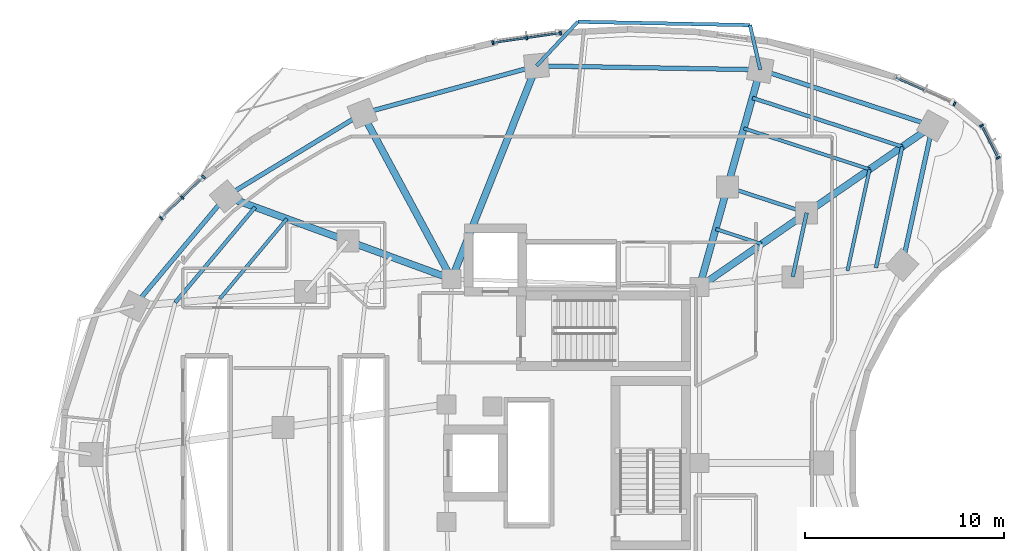
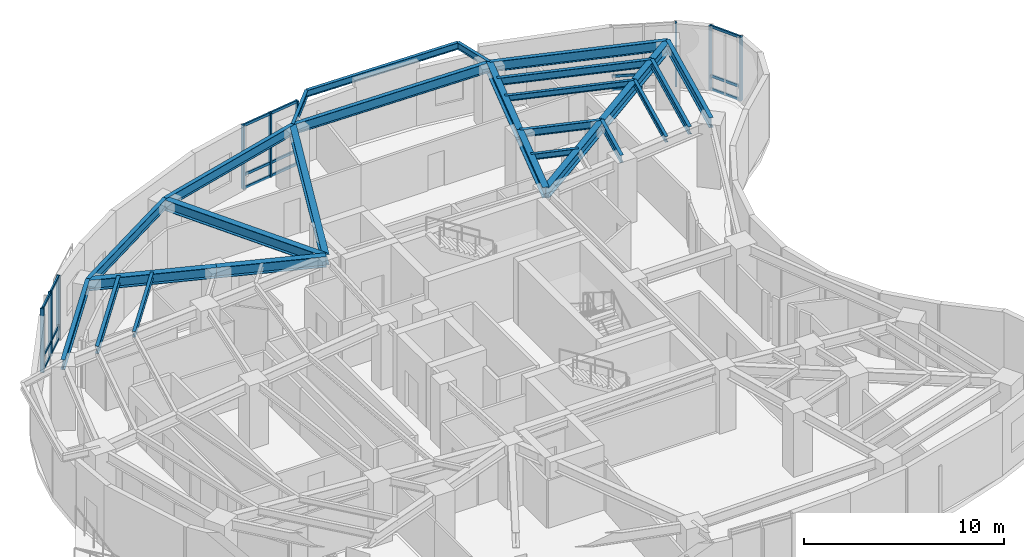
# One storey, part 4 of 13: 26 beams, 26 members, 4 elements without a shape of their own.
"""IFC4 building model written with IfcOpenShell, lengths in metres."""

from ifc_helpers import new_model, si_unit, direction, frame, origin, origin_2d, place, context, subcontext, project, spatial, rectangle, i_section, extrude, material, layer, layer_set, material_profile, profile_set, type_object, element, aggregate, save


model = new_model("IFC4")

# Units and contexts
model_context = context("Model", 3, precision=1e-05, world=origin(), true_north=direction((0.0, 1.0)))
body_context = subcontext(model_context, "Body", "Model", "MODEL_VIEW")
ifc_project = project(units=[si_unit("LENGTHUNIT", "METRE"), si_unit("AREAUNIT", "SQUARE_METRE"), si_unit("VOLUMEUNIT", "CUBIC_METRE"), si_unit("PLANEANGLEUNIT", "RADIAN"), si_unit("MASSUNIT", "GRAM", prefix="KILO")], contexts=[model_context])

# Site, building, storey
site_placement = place(None, origin())
site = spatial("IfcSite", under=ifc_project, at=site_placement, CompositionType="ELEMENT")
building_placement = place(site_placement, origin())
building = spatial("IfcBuilding", under=site, at=building_placement, Name="Korentha Bioscience Tower", CompositionType="ELEMENT")
storey_placement = place(building_placement, frame((0.0, 0.0, 140.39990234375)))
storey = spatial("IfcBuildingStorey", under=building, at=storey_placement, Name="L32", CompositionType="ELEMENT", Elevation=140.39990234375)

# Beams
ifc_material_1 = material(Name="Steel S355", Category="steel")
ifc_material_profile_1 = material_profile(ifc_material_1, i_section(OverallWidth=0.18994140625, OverallDepth=0.45703125, WebThickness=0.009033203125, FlangeThickness=0.014404296875, at=origin_2d()), Name="Steel S355")
ifc_profile_set_1 = profile_set([ifc_material_profile_1], Name="Steel S355 (MB-460)")
beam_type_1 = type_object("IfcBeamType", Name="Mid-Ring Tie Girder W460x74", PredefinedType="BEAM", material=ifc_profile_set_1)
beam_1_placement = place(storey_placement, frame((42.93603515625, 39.57470703125, 3.671630859375), z_axis=(-0.95087582253, 0.309572560361, 0.0), x_axis=(-0.309572560361, -0.95087582253, 0.0)))
element("IfcBeam", 1, at=beam_1_placement, inside=storey, type_object=beam_type_1, Name="L32 Mid-Ring Tie Girder 01", PredefinedType="BEAM", context=body_context, shape_type="SweptSolid", body=[
    extrude(i_section(OverallWidth=0.18994140625, OverallDepth=0.45703125, WebThickness=0.009033203125, FlangeThickness=0.014404296875, at=origin_2d()), origin(), (0.0, 0.0, 1.0), 4.186767578125),
])
beam_2_placement = place(storey_placement, frame((42.235595703125, 36.360595703125, 3.671630859375), z_axis=(0.212928773299, 0.977067724112, 0.0), x_axis=(-0.977067724112, 0.212928773299, 0.0)))
element("IfcBeam", 2, at=beam_2_placement, inside=storey, type_object=beam_type_1, Name="L32 Mid-Ring Tie Girder 16", PredefinedType="BEAM", context=body_context, shape_type="SweptSolid", body=[
    extrude(i_section(OverallWidth=0.18994140625, OverallDepth=0.45703125, WebThickness=0.009033203125, FlangeThickness=0.014404296875, at=origin_2d()), origin(), (0.0, 0.0, 1.0), 3.28955078125),
])

# Curtain wall, member
ifc_material_2 = material(Name="Thermally Broken Aluminium Frame", Category="aluminium")
ifc_layer = layer(ifc_material_2, 0.219970703125, Name="Thermally Broken Aluminium Frame")
ifc_layer_set = layer_set([ifc_layer], Name="Thermally Broken Aluminium Frame (CW-T2)")
curtain_wall_type = type_object("IfcCurtainWallType", Name="Solar-Screened Lab Unitised Curtain Wall CW-T2", PredefinedType="USERDEFINED", material=ifc_layer_set)
curtain_wall_1_placement = place(storey_placement, origin())
curtain_wall_1 = element("IfcCurtainWall", 3, at=curtain_wall_1_placement, inside=storey, type_object=curtain_wall_type, Name="L32 Curtain Wall 01", ObjectType="UNITISED", PredefinedType="USERDEFINED")
ifc_material_3 = material(Name="Anodised Aluminium 6063-T6", Category="aluminium")
ifc_material_profile_2 = material_profile(ifc_material_3, rectangle(XDim=0.090087890625, YDim=0.199951171875, at=origin_2d()), Name="Anodised Aluminium 6063-T6")
ifc_profile_set_2 = profile_set([ifc_material_profile_2], Name="Anodised Aluminium 6063-T6 (CW-MUL)")
member_type_1 = type_object("IfcMemberType", Name="Mullion RECT 90x200", PredefinedType="MULLION", material=ifc_profile_set_2)
member_1_placement = place(storey_placement, frame((50.364013671875, 45.0517578125, 0.0), z_axis=(0.0, 0.0, 1.0), x_axis=(-0.912686563127, 0.408660295952, 0.0)))
member_1 = element("IfcMember", 4, at=member_1_placement, type_object=member_type_1, Name="CW-L32-01 Mullion 1", PredefinedType="MULLION", context=body_context, shape_type="SweptSolid", body=[
    extrude(rectangle(XDim=0.090087890625, YDim=0.199951171875, at=origin_2d()), origin(), (0.0, 0.0, 1.0), 3.900146484375),
])

# Curtain wall, members
curtain_wall_2_placement = place(storey_placement, origin())
curtain_wall_2 = element("IfcCurtainWall", 5, at=curtain_wall_2_placement, inside=storey, type_object=curtain_wall_type, Name="L32 Curtain Wall 07", ObjectType="UNITISED", PredefinedType="USERDEFINED")
member_2_placement = place(storey_placement, frame((30.576416015625, 48.609375, 0.0), z_axis=(0.0, 0.0, 1.0), x_axis=(-0.989738282326, -0.14289203091, 0.0)))
member_2 = element("IfcMember", 6, at=member_2_placement, type_object=member_type_1, Name="CW-L32-07 Mullion 1", PredefinedType="MULLION", context=body_context, shape_type="SweptSolid", body=[
    extrude(rectangle(XDim=0.090087890625, YDim=0.199951171875, at=origin_2d()), origin(), (0.0, 0.0, 1.0), 3.900146484375),
])
member_3_placement = place(storey_placement, frame((28.873291015625, 48.363525390625, 0.0), z_axis=(0.0, 0.0, 1.0), x_axis=(-0.989738282326, -0.14289203091, 0.0)))
member_3 = element("IfcMember", 7, at=member_3_placement, type_object=member_type_1, Name="CW-L32-07 Mullion 2", PredefinedType="MULLION", context=body_context, shape_type="SweptSolid", body=[
    extrude(rectangle(XDim=0.090087890625, YDim=0.199951171875, at=origin_2d()), origin(), (0.0, 0.0, 1.0), 3.900146484375),
])
member_4_placement = place(storey_placement, frame((27.170166015625, 48.11767578125, 0.0), z_axis=(0.0, 0.0, 1.0), x_axis=(-0.989738282326, -0.14289203091, 0.0)))
member_4 = element("IfcMember", 8, at=member_4_placement, type_object=member_type_1, Name="CW-L32-07 Mullion 3", PredefinedType="MULLION", context=body_context, shape_type="SweptSolid", body=[
    extrude(rectangle(XDim=0.090087890625, YDim=0.199951171875, at=origin_2d()), origin(), (0.0, 0.0, 1.0), 3.900146484375),
])

curtain_wall_3_placement = place(storey_placement, origin())
curtain_wall_3 = element("IfcCurtainWall", 9, at=curtain_wall_3_placement, inside=storey, type_object=curtain_wall_type, Name="L32 Curtain Wall 13", ObjectType="UNITISED", PredefinedType="USERDEFINED")
member_5_placement = place(storey_placement, frame((12.631103515625, 41.377197265625, 0.0), z_axis=(0.0, 0.0, 1.0), x_axis=(-0.716095631804, -0.698002182025, 0.0)))
member_5 = element("IfcMember", 10, at=member_5_placement, type_object=member_type_1, Name="CW-L32-13 Mullion 1", PredefinedType="MULLION", context=body_context, shape_type="SweptSolid", body=[
    extrude(rectangle(XDim=0.090087890625, YDim=0.199951171875, at=origin_2d()), origin(), (0.0, 0.0, 1.0), 3.900146484375),
])
member_6_placement = place(storey_placement, frame((11.56689453125, 40.340087890625, 0.0), z_axis=(0.0, 0.0, 1.0), x_axis=(-0.716095631804, -0.698002182025, 0.0)))
member_6 = element("IfcMember", 11, at=member_6_placement, type_object=member_type_1, Name="CW-L32-13 Mullion 2", PredefinedType="MULLION", context=body_context, shape_type="SweptSolid", body=[
    extrude(rectangle(XDim=0.090087890625, YDim=0.199951171875, at=origin_2d()), origin(), (0.0, 0.0, 1.0), 3.900146484375),
])
member_7_placement = place(storey_placement, frame((10.5029296875, 39.302734375, 0.0), z_axis=(0.0, 0.0, 1.0), x_axis=(-0.716095631804, -0.698002182025, 0.0)))
member_7 = element("IfcMember", 12, at=member_7_placement, type_object=member_type_1, Name="CW-L32-13 Mullion 3", PredefinedType="MULLION", context=body_context, shape_type="SweptSolid", body=[
    extrude(rectangle(XDim=0.090087890625, YDim=0.199951171875, at=origin_2d()), origin(), (0.0, 0.0, 1.0), 3.900146484375),
])

curtain_wall_4_placement = place(storey_placement, origin())
curtain_wall_4 = element("IfcCurtainWall", 13, at=curtain_wall_4_placement, inside=storey, type_object=curtain_wall_type, Name="L32 Curtain Wall 61", ObjectType="UNITISED", PredefinedType="USERDEFINED")
member_8_placement = place(storey_placement, frame((52.55859375, 42.337158203125, 0.0), z_axis=(0.0, 0.0, 1.0), x_axis=(-0.457613117169, 0.889151412862, 0.0)))
member_8 = element("IfcMember", 14, at=member_8_placement, type_object=member_type_1, Name="CW-L32-61 Mullion 1", PredefinedType="MULLION", context=body_context, shape_type="SweptSolid", body=[
    extrude(rectangle(XDim=0.090087890625, YDim=0.199951171875, at=origin_2d()), origin(), (0.0, 0.0, 1.0), 3.900146484375),
])
member_9_placement = place(storey_placement, frame((51.722412109375, 43.962158203125, 0.0), z_axis=(0.0, 0.0, 1.0), x_axis=(-0.457613117169, 0.889151412862, 0.0)))
member_9 = element("IfcMember", 15, at=member_9_placement, type_object=member_type_1, Name="CW-L32-61 Mullion 2", PredefinedType="MULLION", context=body_context, shape_type="SweptSolid", body=[
    extrude(rectangle(XDim=0.090087890625, YDim=0.199951171875, at=origin_2d()), origin(), (0.0, 0.0, 1.0), 3.900146484375),
])

# Beams
ifc_material_profile_3 = material_profile(ifc_material_1, i_section(OverallWidth=0.22802734375, OverallDepth=0.60791015625, WebThickness=0.01123046875, FlangeThickness=0.017333984375, at=origin_2d()), Name="Steel S355")
ifc_profile_set_3 = profile_set([ifc_material_profile_3], Name="Steel S355 (SB-610)")
beam_type_2 = type_object("IfcBeamType", Name="Perimeter Ring Spandrel Girder W610x113", PredefinedType="SPANDREL", material=ifc_profile_set_3)
beam_3_placement = place(storey_placement, frame((49.2587890625, 43.947021484375, 3.59619140625), z_axis=(-0.950867758759, 0.309597327755, 0.0), x_axis=(-0.309597327755, -0.950867758759, 0.0)))
element("IfcBeam", 16, at=beam_3_placement, inside=storey, type_object=beam_type_2, Name="L32 Perimeter Spandrel Girder 01", PredefinedType="SPANDREL", context=body_context, shape_type="SweptSolid", body=[
    extrude(i_section(OverallWidth=0.22802734375, OverallDepth=0.60791015625, WebThickness=0.01123046875, FlangeThickness=0.017333984375, at=origin_2d()), origin(), (0.0, 0.0, 1.0), 9.101806640625),
])
beam_4_placement = place(storey_placement, frame((40.604248046875, 46.764892578125, 3.59619140625), z_axis=(-0.999850566826, 0.017287105523, 0.0), x_axis=(-0.017287105523, -0.999850566826, 0.0)))
element("IfcBeam", 17, at=beam_4_placement, inside=storey, type_object=beam_type_2, Name="L32 Perimeter Spandrel Girder 02", PredefinedType="SPANDREL", context=body_context, shape_type="SweptSolid", body=[
    extrude(i_section(OverallWidth=0.22802734375, OverallDepth=0.60791015625, WebThickness=0.01123046875, FlangeThickness=0.017333984375, at=origin_2d()), origin(), (0.0, 0.0, 1.0), 11.24169921875),
])
beam_5_placement = place(storey_placement, frame((29.3642578125, 46.959228515625, 3.59619140625), z_axis=(-0.964659386444, -0.263500034431, 0.0), x_axis=(0.263500034431, -0.964659386444, 0.0)))
element("IfcBeam", 18, at=beam_5_placement, inside=storey, type_object=beam_type_2, Name="L32 Perimeter Spandrel Girder 03", PredefinedType="SPANDREL", context=body_context, shape_type="SweptSolid", body=[
    extrude(i_section(OverallWidth=0.22802734375, OverallDepth=0.60791015625, WebThickness=0.01123046875, FlangeThickness=0.017333984375, at=origin_2d()), origin(), (0.0, 0.0, 1.0), 9.06982421875),
])
beam_6_placement = place(storey_placement, frame((20.614990234375, 44.5693359375, 3.59619140625), z_axis=(-0.854461040474, -0.51951547649, 0.0), x_axis=(0.51951547649, -0.854461040474, 0.0)))
element("IfcBeam", 19, at=beam_6_placement, inside=storey, type_object=beam_type_2, Name="L32 Perimeter Spandrel Girder 04", PredefinedType="SPANDREL", context=body_context, shape_type="SweptSolid", body=[
    extrude(i_section(OverallWidth=0.22802734375, OverallDepth=0.60791015625, WebThickness=0.01123046875, FlangeThickness=0.017333984375, at=origin_2d()), origin(), (0.0, 0.0, 1.0), 8.025146484375),
])
beam_7_placement = place(storey_placement, frame((13.7578125, 40.400146484375, 3.59619140625), z_axis=(-0.642126556076, -0.76659864726, 0.0), x_axis=(0.76659864726, -0.642126556076, 0.0)))
element("IfcBeam", 20, at=beam_7_placement, inside=storey, type_object=beam_type_2, Name="L32 Perimeter Spandrel Girder 05", PredefinedType="SPANDREL", context=body_context, shape_type="SweptSolid", body=[
    extrude(i_section(OverallWidth=0.22802734375, OverallDepth=0.60791015625, WebThickness=0.01123046875, FlangeThickness=0.017333984375, at=origin_2d()), origin(), (0.0, 0.0, 1.0), 7.1884765625),
])
beam_8_placement = place(storey_placement, frame((47.736083984375, 36.959716796875, 3.59619140625), z_axis=(0.212927102256, 0.977068088275, 0.0), x_axis=(-0.977068088275, 0.212927102256, 0.0)))
element("IfcBeam", 21, at=beam_8_placement, inside=storey, type_object=beam_type_2, Name="L32 Perimeter Spandrel Girder 16", PredefinedType="SPANDREL", context=body_context, shape_type="SweptSolid", body=[
    extrude(i_section(OverallWidth=0.22802734375, OverallDepth=0.60791015625, WebThickness=0.01123046875, FlangeThickness=0.017333984375, at=origin_2d()), origin(), (0.0, 0.0, 1.0), 7.1513671875),
])
ifc_material_profile_4 = material_profile(ifc_material_1, i_section(OverallWidth=0.18994140625, OverallDepth=0.45703125, WebThickness=0.009033203125, FlangeThickness=0.014404296875, at=origin_2d()), Name="Steel S355")
ifc_profile_set_4 = profile_set([ifc_material_profile_4], Name="Steel S355 (RB-460)")
beam_type_3 = type_object("IfcBeamType", Name="Radial Laboratory Beam W460x74", PredefinedType="BEAM", material=ifc_profile_set_4)
beam_9_placement = place(storey_placement, frame((47.7412109375, 42.8974609375, 3.671630859375), z_axis=(-0.950866789802, 0.3096003037, 0.0), x_axis=(-0.3096003037, -0.950866789802, 0.0)))
element("IfcBeam", 22, at=beam_9_placement, inside=storey, type_object=beam_type_3, Name="L32 Secondary Floor Beam JSTO-01", PredefinedType="BEAM", context=body_context, shape_type="SweptSolid", body=[
    extrude(i_section(OverallWidth=0.18994140625, OverallDepth=0.45703125, WebThickness=0.009033203125, FlangeThickness=0.014404296875, at=origin_2d()), origin(), (0.0, 0.0, 1.0), 7.921875),
])
beam_10_placement = place(storey_placement, frame((15.227783203125, 39.8623046875, 3.671630859375), z_axis=(-0.642128156066, -0.766597307057, 0.0), x_axis=(0.766597307057, -0.642128156066, 0.0)))
element("IfcBeam", 23, at=beam_10_placement, inside=storey, type_object=beam_type_3, Name="L32 Secondary Floor Beam JSTO-05", PredefinedType="BEAM", context=body_context, shape_type="SweptSolid", body=[
    extrude(i_section(OverallWidth=0.18994140625, OverallDepth=0.45703125, WebThickness=0.009033203125, FlangeThickness=0.014404296875, at=origin_2d()), origin(), (0.0, 0.0, 1.0), 6.257080078125),
])
beam_11_placement = place(storey_placement, frame((46.416015625, 36.81591796875, 3.671630859375), z_axis=(0.21290837934, 0.977072168269, 0.0), x_axis=(-0.977072168269, 0.21290837934, 0.0)))
element("IfcBeam", 24, at=beam_11_placement, inside=storey, type_object=beam_type_3, Name="L32 Secondary Floor Beam JSTO-16", PredefinedType="BEAM", context=body_context, shape_type="SweptSolid", body=[
    extrude(i_section(OverallWidth=0.18994140625, OverallDepth=0.45703125, WebThickness=0.009033203125, FlangeThickness=0.014404296875, at=origin_2d()), origin(), (0.0, 0.0, 1.0), 6.224365234375),
])
ifc_material_profile_5 = material_profile(ifc_material_1, i_section(OverallWidth=0.35009765625, OverallDepth=0.64990234375, WebThickness=0.01611328125, FlangeThickness=0.02490234375, at=origin_2d()), Name="Steel S355")
ifc_profile_set_5 = profile_set([ifc_material_profile_5], Name="Steel S355 (RB-650)")
beam_type_4 = type_object("IfcBeamType", Name="Radial Laboratory Girder CVS 650x208", PredefinedType="BEAM", material=ifc_profile_set_5)
beam_12_placement = place(storey_placement, frame((37.550048828125, 35.85009765625, 3.5751953125), z_axis=(0.822488699387, 0.568781451333, 0.0), x_axis=(-0.568781451333, 0.822488699387, 0.0)))
element("IfcBeam", 25, at=beam_12_placement, inside=storey, type_object=beam_type_4, Name="L32 Inner Radial Girder 01", PredefinedType="BEAM", context=body_context, shape_type="SweptSolid", body=[
    extrude(i_section(OverallWidth=0.35009765625, OverallDepth=0.64990234375, WebThickness=0.01611328125, FlangeThickness=0.02490234375, at=origin_2d()), origin(), (0.0, 0.0, 1.0), 6.54833984375),
])
beam_13_placement = place(storey_placement, frame((42.93603515625, 39.57470703125, 3.5751953125), z_axis=(0.822495056204, 0.568772258922, 0.0), x_axis=(-0.568772258922, 0.822495056204, 0.0)))
element("IfcBeam", 26, at=beam_13_placement, inside=storey, type_object=beam_type_4, Name="L32 Outer Radial Girder 01", PredefinedType="BEAM", context=body_context, shape_type="SweptSolid", body=[
    extrude(i_section(OverallWidth=0.35009765625, OverallDepth=0.64990234375, WebThickness=0.01611328125, FlangeThickness=0.02490234375, at=origin_2d()), origin(), (0.0, 0.0, 1.0), 7.687255859375),
])
beam_14_placement = place(storey_placement, frame((37.550048828125, 35.85009765625, 3.5751953125), z_axis=(0.269447542125, 0.96301506844, 0.0), x_axis=(-0.96301506844, 0.269447542125, 0.0)))
element("IfcBeam", 27, at=beam_14_placement, inside=storey, type_object=beam_type_4, Name="L32 Inner Radial Girder 02", PredefinedType="BEAM", context=body_context, shape_type="SweptSolid", body=[
    extrude(i_section(OverallWidth=0.35009765625, OverallDepth=0.64990234375, WebThickness=0.01611328125, FlangeThickness=0.02490234375, at=origin_2d()), origin(), (0.0, 0.0, 1.0), 5.213623046875),
])
beam_15_placement = place(storey_placement, frame((38.954833984375, 40.870849609375, 3.5751953125), z_axis=(0.269490843458, 0.963002951861, 0.0), x_axis=(-0.963002951861, 0.269490843458, 0.0)))
element("IfcBeam", 28, at=beam_15_placement, inside=storey, type_object=beam_type_4, Name="L32 Outer Radial Girder 02", PredefinedType="BEAM", context=body_context, shape_type="SweptSolid", body=[
    extrude(i_section(OverallWidth=0.35009765625, OverallDepth=0.64990234375, WebThickness=0.01611328125, FlangeThickness=0.02490234375, at=origin_2d()), origin(), (0.0, 0.0, 1.0), 6.120361328125),
])
beam_16_placement = place(storey_placement, frame((25.10009765625, 36.25, 3.5751953125), z_axis=(0.369929528493, 0.929059817207, 0.0), x_axis=(-0.929059817207, 0.369929528493, 0.0)))
element("IfcBeam", 29, at=beam_16_placement, inside=storey, type_object=beam_type_4, Name="L32 Radial Girder 03", PredefinedType="BEAM", context=body_context, shape_type="SweptSolid", body=[
    extrude(i_section(OverallWidth=0.35009765625, OverallDepth=0.64990234375, WebThickness=0.01611328125, FlangeThickness=0.02490234375, at=origin_2d()), origin(), (0.0, 0.0, 1.0), 11.52685546875),
])
beam_17_placement = place(storey_placement, frame((25.10009765625, 36.25, 3.5751953125), z_axis=(-0.474548018732, 0.880229616587, 0.0), x_axis=(-0.880229616587, -0.474548018732, 0.0)))
element("IfcBeam", 30, at=beam_17_placement, inside=storey, type_object=beam_type_4, Name="L32 Radial Girder 04", PredefinedType="BEAM", context=body_context, shape_type="SweptSolid", body=[
    extrude(i_section(OverallWidth=0.35009765625, OverallDepth=0.64990234375, WebThickness=0.01611328125, FlangeThickness=0.02490234375, at=origin_2d()), origin(), (0.0, 0.0, 1.0), 9.451416015625),
])
beam_18_placement = place(storey_placement, frame((25.10009765625, 36.25, 3.5751953125), z_axis=(-0.939118010396, 0.343594765022, 0.0), x_axis=(-0.343594765022, -0.939118010396, 0.0)))
element("IfcBeam", 31, at=beam_18_placement, inside=storey, type_object=beam_type_4, Name="L32 Inner Radial Girder 05", PredefinedType="BEAM", context=body_context, shape_type="SweptSolid", body=[
    extrude(i_section(OverallWidth=0.35009765625, OverallDepth=0.64990234375, WebThickness=0.01611328125, FlangeThickness=0.02490234375, at=origin_2d()), origin(), (0.0, 0.0, 1.0), 5.5556640625),
])
beam_19_placement = place(storey_placement, frame((19.882568359375, 38.158935546875, 3.5751953125), z_axis=(-0.939100755225, 0.343641923425, 0.0), x_axis=(-0.343641923425, -0.939100755225, 0.0)))
element("IfcBeam", 32, at=beam_19_placement, inside=storey, type_object=beam_type_4, Name="L32 Outer Radial Girder 05", PredefinedType="BEAM", context=body_context, shape_type="SweptSolid", body=[
    extrude(i_section(OverallWidth=0.35009765625, OverallDepth=0.64990234375, WebThickness=0.01611328125, FlangeThickness=0.02490234375, at=origin_2d()), origin(), (0.0, 0.0, 1.0), 6.52197265625),
])
ifc_material_profile_6 = material_profile(ifc_material_1, i_section(OverallWidth=0.1708984375, OverallDepth=0.35498046875, WebThickness=0.007080078125, FlangeThickness=0.01171875, at=origin_2d()), Name="Steel S355")
ifc_profile_set_6 = profile_set([ifc_material_profile_6], Name="Steel S355 (JB-360)")
beam_type_5 = type_object("IfcBeamType", Name="Secondary Laboratory Joist W360x51", PredefinedType="JOIST", material=ifc_profile_set_6)
beam_20_placement = place(storey_placement, frame((46.097412109375, 41.7607421875, 3.72265625), z_axis=(-0.950864890997, 0.309606135387, 0.0), x_axis=(-0.309606135387, -0.950864890997, 0.0)))
element("IfcBeam", 33, at=beam_20_placement, inside=storey, type_object=beam_type_5, Name="L32 Secondary Floor Beam JST-01", PredefinedType="JOIST", context=body_context, shape_type="SweptSolid", body=[
    extrude(i_section(OverallWidth=0.1708984375, OverallDepth=0.35498046875, WebThickness=0.007080078125, FlangeThickness=0.01171875, at=origin_2d()), origin(), (0.0, 0.0, 1.0), 6.644287109375),
])
beam_21_placement = place(storey_placement, frame((40.673828125, 38.01025390625, 3.72265625), z_axis=(-0.950852158547, 0.30964523666, 0.0), x_axis=(-0.30964523666, -0.950852158547, 0.0)))
element("IfcBeam", 34, at=beam_21_placement, inside=storey, type_object=beam_type_5, Name="L32 Inner Bay Joist 01", PredefinedType="JOIST", context=body_context, shape_type="SweptSolid", body=[
    extrude(i_section(OverallWidth=0.1708984375, OverallDepth=0.35498046875, WebThickness=0.007080078125, FlangeThickness=0.01171875, at=origin_2d()), origin(), (0.0, 0.0, 1.0), 2.428466796875),
])
beam_22_placement = place(storey_placement, frame((16.8203125, 39.279541015625, 3.72265625), z_axis=(-0.642140812018, -0.76658670582, 0.0), x_axis=(0.76658670582, -0.642140812018, 0.0)))
element("IfcBeam", 35, at=beam_22_placement, inside=storey, type_object=beam_type_5, Name="L32 Secondary Floor Beam JST-05", PredefinedType="JOIST", context=body_context, shape_type="SweptSolid", body=[
    extrude(i_section(OverallWidth=0.1708984375, OverallDepth=0.35498046875, WebThickness=0.007080078125, FlangeThickness=0.01171875, at=origin_2d()), origin(), (0.0, 0.0, 1.0), 5.247802734375),
])
beam_23_placement = place(storey_placement, frame((44.98583984375, 36.66015625, 3.72265625), z_axis=(0.212932493609, 0.977066913351, 0.0), x_axis=(-0.977066913351, 0.212932493609, 0.0)))
element("IfcBeam", 36, at=beam_23_placement, inside=storey, type_object=beam_type_5, Name="L32 Secondary Floor Beam JST-16", PredefinedType="JOIST", context=body_context, shape_type="SweptSolid", body=[
    extrude(i_section(OverallWidth=0.1708984375, OverallDepth=0.35498046875, WebThickness=0.007080078125, FlangeThickness=0.01171875, at=origin_2d()), origin(), (0.0, 0.0, 1.0), 5.22021484375),
])
ifc_material_profile_7 = material_profile(ifc_material_1, i_section(OverallWidth=0.177978515625, OverallDepth=0.406982421875, WebThickness=0.0078125, FlangeThickness=0.0126953125, at=origin_2d()), Name="Steel S355")
ifc_profile_set_7 = profile_set([ifc_material_profile_7], Name="Steel S355 (CB-410)")
beam_type_6 = type_object("IfcBeamType", Name="Sun-Ledge Cantilever Beam W410x60", PredefinedType="BEAM", material=ifc_profile_set_7)
beam_24_placement = place(storey_placement, frame((40.604248046875, 46.764892578125, 3.698486328125), z_axis=(-0.223355143681, 0.974737133688, 0.0), x_axis=(-0.974737133688, -0.223355143681, 0.0)))
element("IfcBeam", 37, at=beam_24_placement, inside=storey, type_object=beam_type_6, Name="L32 Balcony Cantilever Bracket A-L33-01", PredefinedType="BEAM", context=body_context, shape_type="SweptSolid", body=[
    extrude(i_section(OverallWidth=0.177978515625, OverallDepth=0.406982421875, WebThickness=0.0078125, FlangeThickness=0.0126953125, at=origin_2d()), origin(), (0.0, 0.0, 1.0), 2.2998046875),
])
beam_25_placement = place(storey_placement, frame((29.3642578125, 46.959228515625, 3.698486328125), z_axis=(0.683612079986, 0.729845548111, 0.0), x_axis=(-0.729845548111, 0.683612079986, 0.0)))
element("IfcBeam", 38, at=beam_25_placement, inside=storey, type_object=beam_type_6, Name="L32 Balcony Cantilever Bracket B-L33-01", PredefinedType="BEAM", context=body_context, shape_type="SweptSolid", body=[
    extrude(i_section(OverallWidth=0.177978515625, OverallDepth=0.406982421875, WebThickness=0.0078125, FlangeThickness=0.0126953125, at=origin_2d()), origin(), (0.0, 0.0, 1.0), 3.036376953125),
])
beam_26_placement = place(storey_placement, frame((40.090576171875, 49.006591796875, 3.698486328125), z_axis=(-0.999809898127, 0.019497887269, 0.0), x_axis=(-0.019497887269, -0.999809898127, 0.0)))
element("IfcBeam", 39, at=beam_26_placement, inside=storey, type_object=beam_type_6, Name="L32 Balcony Edge Trimmer Beam L33-01", PredefinedType="BEAM", context=body_context, shape_type="SweptSolid", body=[
    extrude(i_section(OverallWidth=0.177978515625, OverallDepth=0.406982421875, WebThickness=0.0078125, FlangeThickness=0.0126953125, at=origin_2d()), origin(), (0.0, 0.0, 1.0), 8.65234375),
])

# Member
ifc_material_profile_8 = material_profile(ifc_material_3, rectangle(XDim=0.090087890625, YDim=0.159912109375, at=origin_2d()), Name="Anodised Aluminium 6063-T6")
ifc_profile_set_8 = profile_set([ifc_material_profile_8], Name="Anodised Aluminium 6063-T6 (CW-TRN)")
member_type_2 = type_object("IfcMemberType", Name="Transom RECT 90x160", PredefinedType="USERDEFINED", material=ifc_profile_set_8)
member_10_placement = place(storey_placement, frame((48.830322265625, 45.738525390625, 0.045166015625), z_axis=(-0.912667864607, 0.408702053962, 0.0), x_axis=(-0.408702053962, -0.912667864607, 0.0)))
member_10 = element("IfcMember", 40, at=member_10_placement, type_object=member_type_2, Name="CW-L32-01 Bay 2 Transom 1", ObjectType="TRANSOM", PredefinedType="USERDEFINED", context=body_context, shape_type="SweptSolid", body=[
    extrude(rectangle(XDim=0.090087890625, YDim=0.159912109375, at=origin_2d()), origin(), (0.0, 0.0, 1.0), 1.54541015625),
])

member_11_placement = place(storey_placement, frame((48.830322265625, 45.738525390625, 0.85009765625), z_axis=(-0.912667864607, 0.408702053962, 0.0), x_axis=(-0.408702053962, -0.912667864607, 0.0)))
member_11 = element("IfcMember", 41, at=member_11_placement, type_object=member_type_2, Name="CW-L32-01 Bay 2 Transom 2", ObjectType="TRANSOM", PredefinedType="USERDEFINED", context=body_context, shape_type="SweptSolid", body=[
    extrude(rectangle(XDim=0.090087890625, YDim=0.159912109375, at=origin_2d()), origin(), (0.0, 0.0, 1.0), 1.54541015625),
])

aggregate(curtain_wall_1, [member_1, member_10, member_11])

member_12_placement = place(storey_placement, frame((30.53173828125, 48.602783203125, 0.045166015625), z_axis=(-0.989747883164, -0.142825515132, 0.0), x_axis=(0.142825515132, -0.989747883164, 0.0)))
member_12 = element("IfcMember", 42, at=member_12_placement, type_object=member_type_2, Name="CW-L32-07 Bay 1 Transom 1", ObjectType="TRANSOM", PredefinedType="USERDEFINED", context=body_context, shape_type="SweptSolid", body=[
    extrude(rectangle(XDim=0.090087890625, YDim=0.159912109375, at=origin_2d()), origin(), (0.0, 0.0, 1.0), 1.630615234375),
])

member_13_placement = place(storey_placement, frame((30.53173828125, 48.602783203125, 0.85009765625), z_axis=(-0.989747883164, -0.142825515132, 0.0), x_axis=(0.142825515132, -0.989747883164, 0.0)))
member_13 = element("IfcMember", 43, at=member_13_placement, type_object=member_type_2, Name="CW-L32-07 Bay 1 Transom 2", ObjectType="TRANSOM", PredefinedType="USERDEFINED", context=body_context, shape_type="SweptSolid", body=[
    extrude(rectangle(XDim=0.090087890625, YDim=0.159912109375, at=origin_2d()), origin(), (0.0, 0.0, 1.0), 1.630615234375),
])

member_14_placement = place(storey_placement, frame((30.53173828125, 48.602783203125, 3.85498046875), z_axis=(-0.989747883164, -0.142825515132, 0.0), x_axis=(0.142825515132, -0.989747883164, 0.0)))
member_14 = element("IfcMember", 44, at=member_14_placement, type_object=member_type_2, Name="CW-L32-07 Bay 1 Transom 3", ObjectType="TRANSOM", PredefinedType="USERDEFINED", context=body_context, shape_type="SweptSolid", body=[
    extrude(rectangle(XDim=0.090087890625, YDim=0.159912109375, at=origin_2d()), origin(), (0.0, 0.0, 1.0), 1.630615234375),
])

member_15_placement = place(storey_placement, frame((28.82861328125, 48.357177734375, 0.045166015625), z_axis=(-0.989723648346, -0.142993356153, 0.0), x_axis=(0.142993356153, -0.989723648346, 0.0)))
member_15 = element("IfcMember", 45, at=member_15_placement, type_object=member_type_2, Name="CW-L32-07 Bay 2 Transom 1", ObjectType="TRANSOM", PredefinedType="USERDEFINED", context=body_context, shape_type="SweptSolid", body=[
    extrude(rectangle(XDim=0.090087890625, YDim=0.159912109375, at=origin_2d()), origin(), (0.0, 0.0, 1.0), 1.630615234375),
])

member_16_placement = place(storey_placement, frame((28.82861328125, 48.357177734375, 0.85009765625), z_axis=(-0.989723648346, -0.142993356153, 0.0), x_axis=(0.142993356153, -0.989723648346, 0.0)))
member_16 = element("IfcMember", 46, at=member_16_placement, type_object=member_type_2, Name="CW-L32-07 Bay 2 Transom 2", ObjectType="TRANSOM", PredefinedType="USERDEFINED", context=body_context, shape_type="SweptSolid", body=[
    extrude(rectangle(XDim=0.090087890625, YDim=0.159912109375, at=origin_2d()), origin(), (0.0, 0.0, 1.0), 1.630615234375),
])

member_17_placement = place(storey_placement, frame((28.82861328125, 48.357177734375, 3.85498046875), z_axis=(-0.989723648346, -0.142993356153, 0.0), x_axis=(0.142993356153, -0.989723648346, 0.0)))
member_17 = element("IfcMember", 47, at=member_17_placement, type_object=member_type_2, Name="CW-L32-07 Bay 2 Transom 3", ObjectType="TRANSOM", PredefinedType="USERDEFINED", context=body_context, shape_type="SweptSolid", body=[
    extrude(rectangle(XDim=0.090087890625, YDim=0.159912109375, at=origin_2d()), origin(), (0.0, 0.0, 1.0), 1.630615234375),
])

aggregate(curtain_wall_2, [member_2, member_3, member_4, member_12, member_13, member_14, member_15, member_16, member_17])

member_18_placement = place(storey_placement, frame((12.598876953125, 41.345703125, 0.045166015625), z_axis=(-0.716142170971, -0.697954433296, 0.0), x_axis=(0.697954433296, -0.716142170971, 0.0)))
member_18 = element("IfcMember", 48, at=member_18_placement, type_object=member_type_2, Name="CW-L32-13 Bay 1 Transom 1", ObjectType="TRANSOM", PredefinedType="USERDEFINED", context=body_context, shape_type="SweptSolid", body=[
    extrude(rectangle(XDim=0.090087890625, YDim=0.159912109375, at=origin_2d()), origin(), (0.0, 0.0, 1.0), 1.39599609375),
])

member_19_placement = place(storey_placement, frame((12.598876953125, 41.345703125, 0.85009765625), z_axis=(-0.716142170971, -0.697954433296, 0.0), x_axis=(0.697954433296, -0.716142170971, 0.0)))
member_19 = element("IfcMember", 49, at=member_19_placement, type_object=member_type_2, Name="CW-L32-13 Bay 1 Transom 2", ObjectType="TRANSOM", PredefinedType="USERDEFINED", context=body_context, shape_type="SweptSolid", body=[
    extrude(rectangle(XDim=0.090087890625, YDim=0.159912109375, at=origin_2d()), origin(), (0.0, 0.0, 1.0), 1.39599609375),
])

member_20_placement = place(storey_placement, frame((12.598876953125, 41.345703125, 3.85498046875), z_axis=(-0.716142170971, -0.697954433296, 0.0), x_axis=(0.697954433296, -0.716142170971, 0.0)))
member_20 = element("IfcMember", 50, at=member_20_placement, type_object=member_type_2, Name="CW-L32-13 Bay 1 Transom 3", ObjectType="TRANSOM", PredefinedType="USERDEFINED", context=body_context, shape_type="SweptSolid", body=[
    extrude(rectangle(XDim=0.090087890625, YDim=0.159912109375, at=origin_2d()), origin(), (0.0, 0.0, 1.0), 1.39599609375),
])

member_21_placement = place(storey_placement, frame((11.534912109375, 40.30859375, 0.045166015625), z_axis=(-0.716142170971, -0.697954433296, 0.0), x_axis=(0.697954433296, -0.716142170971, 0.0)))
member_21 = element("IfcMember", 51, at=member_21_placement, type_object=member_type_2, Name="CW-L32-13 Bay 2 Transom 1", ObjectType="TRANSOM", PredefinedType="USERDEFINED", context=body_context, shape_type="SweptSolid", body=[
    extrude(rectangle(XDim=0.090087890625, YDim=0.159912109375, at=origin_2d()), origin(), (0.0, 0.0, 1.0), 1.39599609375),
])

member_22_placement = place(storey_placement, frame((11.534912109375, 40.30859375, 0.85009765625), z_axis=(-0.716142170971, -0.697954433296, 0.0), x_axis=(0.697954433296, -0.716142170971, 0.0)))
member_22 = element("IfcMember", 52, at=member_22_placement, type_object=member_type_2, Name="CW-L32-13 Bay 2 Transom 2", ObjectType="TRANSOM", PredefinedType="USERDEFINED", context=body_context, shape_type="SweptSolid", body=[
    extrude(rectangle(XDim=0.090087890625, YDim=0.159912109375, at=origin_2d()), origin(), (0.0, 0.0, 1.0), 1.39599609375),
])

member_23_placement = place(storey_placement, frame((11.534912109375, 40.30859375, 3.85498046875), z_axis=(-0.716142170971, -0.697954433296, 0.0), x_axis=(0.697954433296, -0.716142170971, 0.0)))
member_23 = element("IfcMember", 53, at=member_23_placement, type_object=member_type_2, Name="CW-L32-13 Bay 2 Transom 3", ObjectType="TRANSOM", PredefinedType="USERDEFINED", context=body_context, shape_type="SweptSolid", body=[
    extrude(rectangle(XDim=0.090087890625, YDim=0.159912109375, at=origin_2d()), origin(), (0.0, 0.0, 1.0), 1.39599609375),
])

aggregate(curtain_wall_3, [member_5, member_6, member_7, member_18, member_19, member_20, member_21, member_22, member_23])

member_24_placement = place(storey_placement, frame((52.5380859375, 42.377197265625, 0.045166015625), z_axis=(-0.457636897633, 0.889139173541, 0.0), x_axis=(-0.889139173541, -0.457636897633, 0.0)))
member_24 = element("IfcMember", 54, at=member_24_placement, type_object=member_type_2, Name="CW-L32-61 Bay 1 Transom 1", ObjectType="TRANSOM", PredefinedType="USERDEFINED", context=body_context, shape_type="SweptSolid", body=[
    extrude(rectangle(XDim=0.090087890625, YDim=0.159912109375, at=origin_2d()), origin(), (0.0, 0.0, 1.0), 1.737548828125),
])

member_25_placement = place(storey_placement, frame((52.5380859375, 42.377197265625, 0.85009765625), z_axis=(-0.457636897633, 0.889139173541, 0.0), x_axis=(-0.889139173541, -0.457636897633, 0.0)))
member_25 = element("IfcMember", 55, at=member_25_placement, type_object=member_type_2, Name="CW-L32-61 Bay 1 Transom 2", ObjectType="TRANSOM", PredefinedType="USERDEFINED", context=body_context, shape_type="SweptSolid", body=[
    extrude(rectangle(XDim=0.090087890625, YDim=0.159912109375, at=origin_2d()), origin(), (0.0, 0.0, 1.0), 1.737548828125),
])

member_26_placement = place(storey_placement, frame((52.5380859375, 42.377197265625, 3.85498046875), z_axis=(-0.457636897633, 0.889139173541, 0.0), x_axis=(-0.889139173541, -0.457636897633, 0.0)))
member_26 = element("IfcMember", 56, at=member_26_placement, type_object=member_type_2, Name="CW-L32-61 Bay 1 Transom 3", ObjectType="TRANSOM", PredefinedType="USERDEFINED", context=body_context, shape_type="SweptSolid", body=[
    extrude(rectangle(XDim=0.090087890625, YDim=0.159912109375, at=origin_2d()), origin(), (0.0, 0.0, 1.0), 1.737548828125),
])

aggregate(curtain_wall_4, [member_8, member_9, member_24, member_25, member_26])

save(model, "model.ifc")
